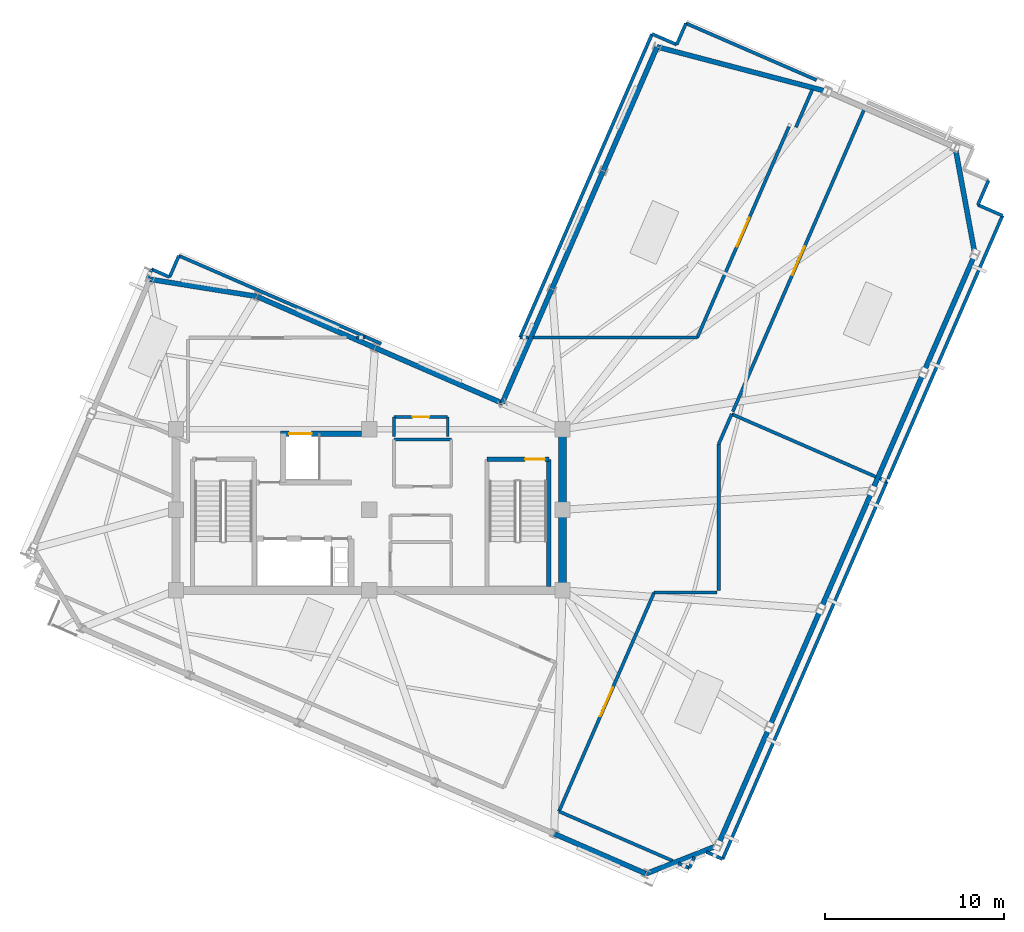
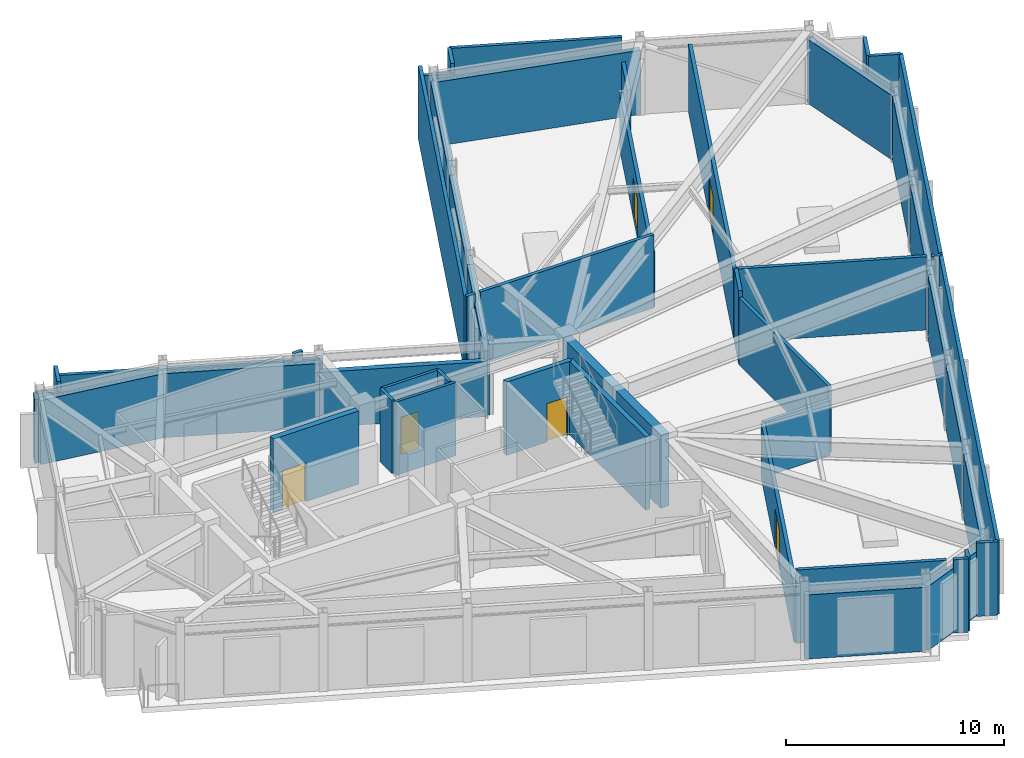
# One storey, part 7 of 11: 51 walls, 6 doors, 6 openings.
"""IFC4 building model written with IfcOpenShell, lengths in metres."""

from ifc_helpers import new_model, si_unit, direction, frame, frame_2d, origin, place, context, subcontext, project, spatial, rectangle, extrude, material, layer, layer_set, type_object, element, fill, save


model = new_model("IFC4")

# Units and contexts
model_context = context("Model", 3, precision=1e-05, world=origin(), true_north=direction((0.0, 1.0)))
body_context = subcontext(model_context, "Body", "Model", "MODEL_VIEW")
ifc_project = project(units=[si_unit("LENGTHUNIT", "METRE"), si_unit("AREAUNIT", "SQUARE_METRE"), si_unit("VOLUMEUNIT", "CUBIC_METRE"), si_unit("PLANEANGLEUNIT", "RADIAN"), si_unit("MASSUNIT", "GRAM", prefix="KILO")], contexts=[model_context])

# Site, building, storey
site_placement = place(None, origin())
site = spatial("IfcSite", under=ifc_project, at=site_placement, CompositionType="ELEMENT")
building_placement = place(site_placement, origin())
building = spatial("IfcBuilding", under=site, at=building_placement, Name="Gaonmaruhae Medical Tower", CompositionType="ELEMENT")
storey_placement = place(building_placement, frame((0.0, 0.0, 338.199951171875)))
storey = spatial("IfcBuildingStorey", under=building, at=storey_placement, Name="L81", CompositionType="ELEMENT", Elevation=338.199951171875)

# Walls
ifc_material_1 = material(Name="Concrete C50/60", Category="concrete")
ifc_layer_1 = layer(ifc_material_1, 0.449951171875)
ifc_layer_set_1 = layer_set([ifc_layer_1], Name="Concrete C50/60")
wall_type_1 = type_object("IfcWallType", Name="CW-450 Upper Core Shear Wall", PredefinedType="SHEAR", material=ifc_layer_set_1)
wall_1_placement = place(storey_placement, frame((35.60009765625, 7.800048828125, 0.0), z_axis=(0.0, 0.0, 1.0), x_axis=(0.0, 1.0, 0.0)))
element("IfcWall", 1, at=wall_1_placement, inside=storey, type_object=wall_type_1, Name="L81 Core Shear Wall CSW-E1", PredefinedType="SHEAR", context=body_context, shape_type="SweptSolid", body=[
    extrude(rectangle(XDim=9.0, YDim=0.449951171875, at=frame_2d((4.5, 0.0))), origin(), (0.0, 0.0, 1.0), 4.10009765625),
])
ifc_material_2 = material(Name="Precast concrete C45/55", Category="concrete")
ifc_layer_2 = layer(ifc_material_2, 0.280029296875)
ifc_layer_set_2 = layer_set([ifc_layer_2], Name="Precast concrete C45/55")
wall_type_2 = type_object("IfcWallType", Name="EW-280 Upper Precast Masonry-Frame Facade Wall", PredefinedType="SOLIDWALL", material=ifc_layer_set_2)
for number, where, z_axis, x_axis, name in (
    (2, (47.14599609375, 0.154296875, 0.0), (0.0, 0.0, 1.0), (-0.398734790782, -0.917066282566, 0.0), "L81 Precast Masonry-Frame Wall S01-S02"),
    (3, (50.01708984375, 6.757080078125, 0.0), (0.0, 0.0, 1.0), (-0.398763307949, -0.91705388295, 0.0), "L81 Precast Masonry-Frame Wall S02-S03"),
):
    element("IfcWall", number, at=place(storey_placement, frame(where, z_axis=z_axis, x_axis=x_axis)), inside=storey, type_object=wall_type_2, Name=name, PredefinedType="SOLIDWALL", context=body_context, shape_type="SweptSolid", body=[
        extrude(rectangle(XDim=7.199951171875, YDim=0.280029296875, at=frame_2d((3.60009765625, 0.0))), origin(), (0.0, 0.0, 1.0), 3.5849609375),
    ])
wall_2_placement = place(storey_placement, frame((52.88818359375, 13.360107421875, 0.0), z_axis=(0.0, 0.0, 1.0), x_axis=(-0.398750908406, -0.917059274554, 0.0)))
element("IfcWall", 4, at=wall_2_placement, inside=storey, type_object=wall_type_2, Name="L81 Precast Masonry-Frame Wall S03-S04", PredefinedType="SOLIDWALL", context=body_context, shape_type="SweptSolid", body=[
    extrude(rectangle(XDim=7.2001953125, YDim=0.280029296875, at=frame_2d((3.60009765625, 0.0))), origin(), (0.0, 0.0, 1.0), 3.5849609375),
])
for number, where, z_axis, x_axis, name in (
    (5, (55.759033203125, 19.962890625, 0.0), (0.0, 0.0, 1.0), (-0.398734790782, -0.917066282566, 0.0), "L81 Precast Masonry-Frame Wall S04-S05"),
    (6, (58.630126953125, 26.565673828125, 0.0), (0.0, 0.0, 1.0), (-0.398763307949, -0.91705388295, 0.0), "L81 Precast Masonry-Frame Wall S05-S06"),
):
    element("IfcWall", number, at=place(storey_placement, frame(where, z_axis=z_axis, x_axis=x_axis)), inside=storey, type_object=wall_type_2, Name=name, PredefinedType="SOLIDWALL", context=body_context, shape_type="SweptSolid", body=[
        extrude(rectangle(XDim=7.199951171875, YDim=0.280029296875, at=frame_2d((3.60009765625, 0.0))), origin(), (0.0, 0.0, 1.0), 3.5849609375),
    ])
wall_3_placement = place(storey_placement, frame((57.52587890625, 32.552490234375, 0.0), z_axis=(0.0, 0.0, 1.0), x_axis=(0.181386981443, -0.983411797246, 0.0)))
element("IfcWall", 7, at=wall_3_placement, inside=storey, type_object=wall_type_2, Name="L81 Precast Masonry-Frame Wall S06-E01", PredefinedType="SOLIDWALL", context=body_context, shape_type="SweptSolid", body=[
    extrude(rectangle(XDim=6.087890625, YDim=0.280029296875, at=frame_2d((3.0439453125, 0.0))), origin(), (0.0, 0.0, 1.0), 3.5849609375),
])
wall_4_placement = place(storey_placement, frame((40.879150390625, 38.155029296875, 0.0), z_axis=(0.0, 0.0, 1.0), x_axis=(0.967228369271, -0.253908018143, 0.0)))
element("IfcWall", 8, at=wall_4_placement, inside=storey, type_object=wall_type_2, Name="L81 Precast Masonry-Frame Wall E02-E03", PredefinedType="SOLIDWALL", context=body_context, shape_type="SweptSolid", body=[
    extrude(rectangle(XDim=9.8154296875, YDim=0.280029296875, at=frame_2d((4.90771484375, 0.0))), origin(), (0.0, 0.0, 1.0), 3.5849609375),
])
wall_5_placement = place(storey_placement, frame((37.868408203125, 31.231201171875, 0.0), z_axis=(0.0, 0.0, 1.0), x_axis=(0.398768677413, 0.917051548123, 0.0)))
element("IfcWall", 9, at=wall_5_placement, inside=storey, type_object=wall_type_2, Name="L81 Precast Masonry-Frame Wall E03-EN01", PredefinedType="SOLIDWALL", context=body_context, shape_type="SweptSolid", body=[
    extrude(rectangle(XDim=7.550048828125, YDim=0.280029296875, at=frame_2d((3.77490234375, 0.0))), origin(), (0.0, 0.0, 1.0), 3.5849609375),
])
wall_6_placement = place(storey_placement, frame((34.99755859375, 24.62841796875, 0.0), z_axis=(0.0, 0.0, 1.0), x_axis=(0.398734790782, 0.917066282566, 0.0)))
element("IfcWall", 10, at=wall_6_placement, inside=storey, type_object=wall_type_2, Name="L81 Precast Masonry-Frame Wall EN01-EN02", PredefinedType="SOLIDWALL", context=body_context, shape_type="SweptSolid", body=[
    extrude(rectangle(XDim=7.199951171875, YDim=0.280029296875, at=frame_2d((3.60009765625, 0.0))), origin(), (0.0, 0.0, 1.0), 3.5849609375),
])
wall_7_placement = place(storey_placement, frame((32.226318359375, 18.2548828125, 0.0), z_axis=(0.0, 0.0, 1.0), x_axis=(0.398742809918, 0.917062795853, 0.0)))
element("IfcWall", 11, at=wall_7_placement, inside=storey, type_object=wall_type_2, Name="L81 Precast Masonry-Frame Wall EN02-KN01", PredefinedType="SOLIDWALL", context=body_context, shape_type="SweptSolid", body=[
    extrude(rectangle(XDim=6.949951171875, YDim=0.280029296875, at=frame_2d((3.47509765625, 0.0))), origin(), (0.0, 0.0, 1.0), 3.5849609375),
])
wall_8_placement = place(storey_placement, frame((25.118896484375, 21.34521484375, 0.0), z_axis=(0.0, 0.0, 1.0), x_axis=(0.917063044715, -0.398742237565, 0.0)))
element("IfcWall", 12, at=wall_8_placement, inside=storey, type_object=wall_type_2, Name="L81 Precast Masonry-Frame Wall KN01-NE01", PredefinedType="SOLIDWALL", context=body_context, shape_type="SweptSolid", body=[
    extrude(rectangle(XDim=7.750244140625, YDim=0.280029296875, at=frame_2d((3.875, 0.0))), origin(), (0.0, 0.0, 1.0), 3.0849609375),
])
wall_9_placement = place(storey_placement, frame((18.51611328125, 24.21630859375, 0.0), z_axis=(0.0, 0.0, 1.0), x_axis=(0.91705388295, -0.398763307949, 0.0)))
element("IfcWall", 13, at=wall_9_placement, inside=storey, type_object=wall_type_2, Name="L81 Precast Masonry-Frame Wall NE01-NE02", PredefinedType="SOLIDWALL", context=body_context, shape_type="SweptSolid", body=[
    extrude(rectangle(XDim=7.199951171875, YDim=0.280029296875, at=frame_2d((3.60009765625, 0.0))), origin(), (0.0, 0.0, 1.0), 3.5849609375),
])
wall_10_placement = place(storey_placement, frame((12.55322265625, 25.17333984375, 0.0), z_axis=(0.0, 0.0, 1.0), x_axis=(0.987363826076, -0.158469791935, 0.0)))
element("IfcWall", 14, at=wall_10_placement, inside=storey, type_object=wall_type_2, Name="L81 Precast Masonry-Frame Wall NE02-N01", PredefinedType="SOLIDWALL", context=body_context, shape_type="SweptSolid", body=[
    extrude(rectangle(XDim=6.039306640625, YDim=0.280029296875, at=frame_2d((3.01953125, 0.0))), origin(), (0.0, 0.0, 1.0), 3.5849609375),
])
wall_11_placement = place(storey_placement, frame((40.261962890625, -8.029296875, 0.0), z_axis=(0.0, 0.0, 1.0), x_axis=(-0.917064511226, 0.398738864734, 0.0)))
element("IfcWall", 15, at=wall_11_placement, inside=storey, type_object=wall_type_2, Name="L81 Precast Masonry-Frame Wall W05-W06", PredefinedType="SOLIDWALL", context=body_context, shape_type="SweptSolid", body=[
    extrude(rectangle(XDim=5.599853515625, YDim=0.280029296875, at=frame_2d((2.7998046875, 0.0))), origin(), (0.0, 0.0, 1.0), 3.5849609375),
])
wall_12_placement = place(storey_placement, frame((44.275146484375, -6.448486328125, 0.0), z_axis=(0.0, 0.0, 1.0), x_axis=(-0.930419505769, -0.366496307328, 0.0)))
element("IfcWall", 16, at=wall_12_placement, inside=storey, type_object=wall_type_2, Name="L81 Precast Masonry-Frame Wall W06-S01", PredefinedType="SOLIDWALL", context=body_context, shape_type="SweptSolid", body=[
    extrude(rectangle(XDim=4.313232421875, YDim=0.280029296875, at=frame_2d((2.15673828125, 0.0))), origin(), (0.0, 0.0, 1.0), 3.5849609375),
])
ifc_material_3 = material(Name="Gypsum board partition", Category="gypsum")
ifc_layer_3 = layer(ifc_material_3, 0.14990234375)
ifc_layer_set_3 = layer_set([ifc_layer_3], Name="Gypsum board partition")
wall_type_3 = type_object("IfcWallType", Name="PW-150 Rated Clinical Corridor Partition", PredefinedType="PARTITIONING", material=ifc_layer_set_3)
wall_13_placement = place(storey_placement, frame((26.179931640625, 16.219970703125, 0.0), z_axis=(0.0, 0.0, 1.0), x_axis=(1.0, 0.0, 0.0)))
element("IfcWall", 17, at=wall_13_placement, inside=storey, type_object=wall_type_3, Name="L81 Interior Partition L81-RCL2-8", PredefinedType="PARTITIONING", context=body_context, shape_type="SweptSolid", body=[
    extrude(rectangle(XDim=3.199951171875, YDim=0.14990234375, at=frame_2d((1.60009765625, 0.0))), origin(), (0.0, 0.0, 1.0), 4.10009765625),
])
wall_14_placement = place(storey_placement, frame((26.179931640625, 16.3798828125, 0.0), z_axis=(0.0, 0.0, 1.0), x_axis=(0.0, 1.0, 0.0)))
element("IfcWall", 18, at=wall_14_placement, inside=storey, type_object=wall_type_3, Name="L81 Interior Partition L81-CS2-11", PredefinedType="PARTITIONING", context=body_context, shape_type="SweptSolid", body=[
    extrude(rectangle(XDim=1.10009765625, YDim=0.14990234375, at=frame_2d((0.550048828125, 0.0))), origin(), (0.0, 0.0, 1.0), 4.10009765625),
])

# Wall, opening, door
wall_15_placement = place(storey_placement, frame((26.179931640625, 17.47998046875, 0.0), z_axis=(0.0, 0.0, 1.0), x_axis=(1.0, 0.0, 0.0)))
wall_15 = element("IfcWall", 19, at=wall_15_placement, inside=storey, type_object=wall_type_3, Name="L81 Interior Partition L81-CS2-12", PredefinedType="PARTITIONING", context=body_context, shape_type="SweptSolid", body=[
    extrude(rectangle(XDim=3.0, YDim=0.14990234375, at=frame_2d((1.5, 0.0))), origin(), (0.0, 0.0, 1.0), 4.10009765625),
])
opening_1_placement = place(wall_15_placement, frame((1.0400390625, 0.0, 0.0)))
opening_1 = element("IfcOpeningElement", 20, at=opening_1_placement, cuts=wall_15, Name="Opening UD-01", PredefinedType="OPENING", context=body_context, shape_type="SweptSolid", body=[
    extrude(rectangle(XDim=0.919921875, YDim=2.10009765625, at=frame_2d((0.4599609375, 1.050048828125))), frame((0.0, 0.0849609375, 0.0), z_axis=(0.0, -1.0, 0.0), x_axis=(1.0, 0.0, 0.0)), (0.0, 0.0, 1.0), 0.169921875),
])
ifc_material_4 = material(Name="Powder-coated steel utility door", Category="steel")
door_type_1 = type_object("IfcDoorType", Name="UD-01 Toilet, Utility & Housekeeping Door 920x2100", OperationType="NOTDEFINED", PredefinedType="DOOR", material=ifc_material_4)
door_1_placement = place(opening_1_placement, origin())
door_1 = element("IfcDoor", 21, at=door_1_placement, inside=storey, type_object=door_type_1, Name="L81 Biomedical Telemetry Closet Door", OperationType="SINGLE_SWING_RIGHT", OverallHeight=2.10009765625, OverallWidth=0.919921875, PredefinedType="DOOR", context=body_context, shape_type="SweptSolid", body=[
    extrude(rectangle(XDim=0.919921875, YDim=2.10009765625, at=frame_2d((0.4599609375, 1.050048828125))), frame((0.0, 0.02490234375, 0.0), z_axis=(0.0, -1.0, 0.0), x_axis=(1.0, 0.0, 0.0)), (0.0, 0.0, 1.0), 0.050048828125),
])
fill(opening_1, door_1)

# Walls
wall_16_placement = place(storey_placement, frame((29.179931640625, 17.47998046875, 0.0), z_axis=(0.0, 0.0, 1.0), x_axis=(0.0, -1.0, 0.0)))
element("IfcWall", 22, at=wall_16_placement, inside=storey, type_object=wall_type_3, Name="L81 Interior Partition L81-CS2-13", PredefinedType="PARTITIONING", context=body_context, shape_type="SweptSolid", body=[
    extrude(rectangle(XDim=1.10009765625, YDim=0.14990234375, at=frame_2d((0.550048828125, 0.0))), origin(), (0.0, 0.0, 1.0), 4.10009765625),
])
ifc_layer_4 = layer(ifc_material_3, 0.179931640625)
ifc_layer_set_4 = layer_set([ifc_layer_4], Name="Gypsum board partition")
wall_type_4 = type_object("IfcWallType", Name="PW-180 Refuge & Plant Acoustic Fire Partition", PredefinedType="PARTITIONING", material=ifc_layer_set_4)
wall_17_placement = place(storey_placement, frame((44.320068359375, 7.800048828125, 0.0), z_axis=(0.0, 0.0, 1.0), x_axis=(0.0, 1.0, 0.0)))
element("IfcWall", 23, at=wall_17_placement, inside=storey, type_object=wall_type_4, Name="L81 Interior Partition L81-CTWR-14", PredefinedType="PARTITIONING", context=body_context, shape_type="SweptSolid", body=[
    extrude(rectangle(XDim=8.175048828125, YDim=0.179931640625, at=frame_2d((4.08740234375, 0.0))), origin(), (0.0, 0.0, 1.0), 3.735107421875),
])
wall_18_placement = place(storey_placement, frame((44.320068359375, 15.97509765625, 0.0), z_axis=(0.0, 0.0, 1.0), x_axis=(0.398564118579, 0.91714047091, 0.0)))
element("IfcWall", 24, at=wall_18_placement, inside=storey, type_object=wall_type_4, Name="L81 Interior Partition L81-CTWR-15", PredefinedType="PARTITIONING", context=body_context, shape_type="SweptSolid", body=[
    extrude(rectangle(XDim=1.818603515625, YDim=0.179931640625, at=frame_2d((0.9091796875, 0.0))), origin(), (0.0, 0.0, 1.0), 4.10009765625),
])
wall_19_placement = place(storey_placement, frame((45.044921875, 17.64306640625, 0.0), z_axis=(0.0, 0.0, 1.0), x_axis=(0.91700863384, -0.398867353218, 0.0)))
element("IfcWall", 25, at=wall_19_placement, inside=storey, type_object=wall_type_4, Name="L81 Interior Partition L81-CTWR-16", PredefinedType="PARTITIONING", context=body_context, shape_type="SweptSolid", body=[
    extrude(rectangle(XDim=8.78515625, YDim=0.179931640625, at=frame_2d((4.392578125, 0.0))), origin(), (0.0, 0.0, 1.0), 4.10009765625),
])
wall_20_placement = place(storey_placement, frame((53.31201171875, 14.047119140625, 0.0), z_axis=(0.0, 0.0, 1.0), x_axis=(0.91736435201, -0.398048546864, 0.0)))
element("IfcWall", 26, at=wall_20_placement, inside=storey, type_object=wall_type_4, Name="L81 Interior Partition L81-CTWR-17", PredefinedType="PARTITIONING", context=body_context, shape_type="SweptSolid", body=[
    extrude(rectangle(XDim=0.434814453125, YDim=0.179931640625, at=frame_2d((0.21728515625, 0.0))), origin(), (0.0, 0.0, 1.0), 4.10009765625),
])
wall_21_placement = place(storey_placement, frame((53.7109375, 13.8740234375, 0.0), z_axis=(0.0, 0.0, 1.0), x_axis=(-0.398742413584, -0.917062968181, 0.0)))
element("IfcWall", 27, at=wall_21_placement, inside=storey, type_object=wall_type_4, Name="L81 Interior Partition L81-CTWR-18", PredefinedType="PARTITIONING", context=body_context, shape_type="SweptSolid", body=[
    extrude(rectangle(XDim=22.99951171875, YDim=0.179931640625, at=frame_2d((11.499755859375, 0.0))), origin(), (0.0, 0.0, 1.0), 4.10009765625),
])
wall_22_placement = place(storey_placement, frame((44.5400390625, -7.218017578125, 0.0), z_axis=(0.0, 0.0, 1.0), x_axis=(-0.916865462782, 0.399196346623, 0.0)))
element("IfcWall", 28, at=wall_22_placement, inside=storey, type_object=wall_type_4, Name="L81 Interior Partition L81-CTWR-19", PredefinedType="PARTITIONING", context=body_context, shape_type="SweptSolid", body=[
    extrude(rectangle(XDim=0.987060546875, YDim=0.179931640625, at=frame_2d((0.49365234375, 0.0))), origin(), (0.0, 0.0, 1.0), 4.10009765625),
])
wall_23_placement = place(storey_placement, frame((42.9599609375, -7.090087890625, 0.0), z_axis=(0.0, 0.0, 1.0), x_axis=(-0.39880409212, -0.917036147656, 0.0)))
element("IfcWall", 29, at=wall_23_placement, inside=storey, type_object=wall_type_4, Name="L81 Interior Partition L81-CTWR-20", PredefinedType="PARTITIONING", context=body_context, shape_type="SweptSolid", body=[
    extrude(rectangle(XDim=0.686767578125, YDim=0.179931640625, at=frame_2d((0.34326171875, 0.0))), origin(), (0.0, 0.0, 1.0), 4.10009765625),
])
wall_24_placement = place(storey_placement, frame((42.68603515625, -7.719970703125, 0.0), z_axis=(0.0, 0.0, 1.0), x_axis=(-0.917092650936, 0.398674139617, 0.0)))
element("IfcWall", 30, at=wall_24_placement, inside=storey, type_object=wall_type_4, Name="L81 Interior Partition L81-CTWR-21", PredefinedType="PARTITIONING", context=body_context, shape_type="SweptSolid", body=[
    extrude(rectangle(XDim=0.68701171875, YDim=0.179931640625, at=frame_2d((0.343505859375, 0.0))), origin(), (0.0, 0.0, 1.0), 4.10009765625),
])
wall_25_placement = place(storey_placement, frame((41.758056640625, -7.31591796875, 0.0), z_axis=(0.0, 0.0, 1.0), x_axis=(-0.917082924279, 0.398696513648, 0.0)))
element("IfcWall", 31, at=wall_25_placement, inside=storey, type_object=wall_type_4, Name="L81 Interior Partition L81-CTWR-22", PredefinedType="PARTITIONING", context=body_context, shape_type="SweptSolid", body=[
    extrude(rectangle(XDim=6.937255859375, YDim=0.179931640625, at=frame_2d((3.46875, 0.0))), origin(), (0.0, 0.0, 1.0), 4.10009765625),
])

# Wall, opening, door
wall_26_placement = place(storey_placement, frame((35.39599609375, -4.550048828125, 0.0), z_axis=(0.0, 0.0, 1.0), x_axis=(0.398695317753, 0.917083444187, 0.0)))
wall_26 = element("IfcWall", 32, at=wall_26_placement, inside=storey, type_object=wall_type_4, Name="L81 Interior Partition L81-CTWR-23", PredefinedType="PARTITIONING", context=body_context, shape_type="SweptSolid", body=[
    extrude(rectangle(XDim=13.335693359375, YDim=0.179931640625, at=frame_2d((6.66796875, 0.0))), origin(), (0.0, 0.0, 1.0), 3.0849609375),
])
opening_2_placement = place(wall_26_placement, frame((5.79296875, 0.0, 0.0)))
opening_2 = element("IfcOpeningElement", 33, at=opening_2_placement, cuts=wall_26, Name="Opening PD-01", PredefinedType="OPENING", context=body_context, shape_type="SweptSolid", body=[
    extrude(rectangle(XDim=1.75, YDim=2.199951171875, at=frame_2d((0.875, 1.10009765625))), frame((0.0, 0.10009765625, 0.0), z_axis=(0.0, -1.0, 0.0), x_axis=(1.0, 0.0, 0.0)), (0.0, 0.0, 1.0), 0.199951171875),
])
ifc_material_5 = material(Name="Acoustic galvanised steel plant door", Category="steel")
door_type_2 = type_object("IfcDoorType", Name="PD-01 Mechanical Plant Double Equipment Door 1750x2200", OperationType="NOTDEFINED", PredefinedType="DOOR", material=ifc_material_5)
door_2_placement = place(opening_2_placement, origin())
door_2 = element("IfcDoor", 34, at=door_2_placement, inside=storey, type_object=door_type_2, Name="L81 Heat Rejection Cooling Tower Plant Room Door", OperationType="DOUBLE_DOOR_SINGLE_SWING", OverallHeight=2.199951171875, OverallWidth=1.75, PredefinedType="DOOR", context=body_context, shape_type="SweptSolid", body=[
    extrude(rectangle(XDim=1.75, YDim=2.199951171875, at=frame_2d((0.875, 1.10009765625))), frame((0.0, 0.02490234375, 0.0), z_axis=(0.0, -1.0, 0.0), x_axis=(1.0, 0.0, 0.0)), (0.0, 0.0, 1.0), 0.050048828125),
])
fill(opening_2, door_2)

# Walls
wall_27_placement = place(storey_placement, frame((40.712890625, 7.679931640625, 0.0), z_axis=(0.0, 0.0, 1.0), x_axis=(0.999999961053, 0.000279095719, 0.0)))
element("IfcWall", 35, at=wall_27_placement, inside=storey, type_object=wall_type_4, Name="L81 Interior Partition L81-CTWR-24", PredefinedType="PARTITIONING", context=body_context, shape_type="SweptSolid", body=[
    extrude(rectangle(XDim=3.4990234375, YDim=0.179931640625, at=frame_2d((1.74951171875, 0.0))), origin(), (0.0, 0.0, 1.0), 3.0849609375),
])
for number, where, z_axis, x_axis, name in (
    (36, (59.39404296875, 30.7041015625, 0.0), (0.0, 0.0, 1.0), (-0.398904712107, -0.916992383097, 0.0), "L81 Interior Partition L81-CAHU-25"),
    (37, (58.7958984375, 29.3291015625, 0.0), (0.0, 0.0, 1.0), (0.916992383097, -0.398904712107, 0.0), "L81 Interior Partition L81-CAHU-26"),
):
    element("IfcWall", number, at=place(storey_placement, frame(where, z_axis=z_axis, x_axis=x_axis)), inside=storey, type_object=wall_type_4, Name=name, PredefinedType="PARTITIONING", context=body_context, shape_type="SweptSolid", body=[
        extrude(rectangle(XDim=1.49951171875, YDim=0.179931640625, at=frame_2d((0.749755859375, 0.0))), origin(), (0.0, 0.0, 1.0), 4.10009765625),
    ])
wall_28_placement = place(storey_placement, frame((60.1708984375, 28.73095703125, 0.0), z_axis=(0.0, 0.0, 1.0), x_axis=(-0.398743910025, -0.917062317521, 0.0)))
element("IfcWall", 38, at=wall_28_placement, inside=storey, type_object=wall_type_4, Name="L81 Interior Partition L81-CAHU-27", PredefinedType="PARTITIONING", context=body_context, shape_type="SweptSolid", body=[
    extrude(rectangle(XDim=16.050048828125, YDim=0.179931640625, at=frame_2d((8.02490234375, 0.0))), origin(), (0.0, 0.0, 1.0), 4.10009765625),
])

# Wall, opening, door
wall_29_placement = place(storey_placement, frame((45.10498046875, 17.780029296875, 0.0), z_axis=(0.0, 0.0, 1.0), x_axis=(0.398732909086, 0.917067100714, 0.0)))
wall_29 = element("IfcWall", 39, at=wall_29_placement, inside=storey, type_object=wall_type_4, Name="L81 Interior Partition L81-CAHU-28", PredefinedType="PARTITIONING", context=body_context, shape_type="SweptSolid", body=[
    extrude(rectangle(XDim=18.385986328125, YDim=0.179931640625, at=frame_2d((9.19287109375, 0.0))), origin(), (0.0, 0.0, 1.0), 3.735107421875),
])
opening_3_placement = place(wall_29_placement, frame((8.31787109375, 0.0, 0.0)))
opening_3 = element("IfcOpeningElement", 40, at=opening_3_placement, cuts=wall_29, Name="Opening PD-01", PredefinedType="OPENING", context=body_context, shape_type="SweptSolid", body=[
    extrude(rectangle(XDim=1.75, YDim=2.199951171875, at=frame_2d((0.875, 1.10009765625))), frame((0.0, 0.10009765625, 0.0), z_axis=(0.0, -1.0, 0.0), x_axis=(1.0, 0.0, 0.0)), (0.0, 0.0, 1.0), 0.199951171875),
])
door_3_placement = place(opening_3_placement, origin())
door_3 = element("IfcDoor", 41, at=door_3_placement, inside=storey, type_object=door_type_2, Name="L81 High-Zone Exhaust and Make-Up Air Plant Room Door", OperationType="DOUBLE_DOOR_SINGLE_SWING", OverallHeight=2.199951171875, OverallWidth=1.75, PredefinedType="DOOR", context=body_context, shape_type="SweptSolid", body=[
    extrude(rectangle(XDim=1.75, YDim=2.199951171875, at=frame_2d((0.875, 1.10009765625))), frame((0.0, 0.02490234375, 0.0), z_axis=(0.0, -1.0, 0.0), x_axis=(1.0, 0.0, 0.0)), (0.0, 0.0, 1.0), 0.050048828125),
])
fill(opening_3, door_3)

wall_30_placement = place(storey_placement, frame((48.242919921875, 33.698974609375, 0.0), z_axis=(0.0, 0.0, 1.0), x_axis=(-0.398758777505, -0.917055852913, 0.0)))
wall_30 = element("IfcWall", 42, at=wall_30_placement, inside=storey, type_object=wall_type_4, Name="L81 Interior Partition L81-TANK-32", PredefinedType="PARTITIONING", context=body_context, shape_type="SweptSolid", body=[
    extrude(rectangle(XDim=12.844482421875, YDim=0.179931640625, at=frame_2d((6.42236328125, 0.0))), origin(), (0.0, 0.0, 1.0), 3.0849609375),
])
opening_4_placement = place(wall_30_placement, frame((5.547119140625, 0.0, 0.0)))
opening_4 = element("IfcOpeningElement", 43, at=opening_4_placement, cuts=wall_30, Name="Opening PD-01", PredefinedType="OPENING", context=body_context, shape_type="SweptSolid", body=[
    extrude(rectangle(XDim=1.75, YDim=2.199951171875, at=frame_2d((0.875, 1.10009765625))), frame((0.0, 0.10009765625, 0.0), z_axis=(0.0, -1.0, 0.0), x_axis=(1.0, 0.0, 0.0)), (0.0, 0.0, 1.0), 0.199951171875),
])
door_4_placement = place(opening_4_placement, origin())
door_4 = element("IfcDoor", 44, at=door_4_placement, inside=storey, type_object=door_type_2, Name="L81 High-Level Fire Fighting Gravity Water Tank Room Door", OperationType="DOUBLE_DOOR_SINGLE_SWING", OverallHeight=2.199951171875, OverallWidth=1.75, PredefinedType="DOOR", context=body_context, shape_type="SweptSolid", body=[
    extrude(rectangle(XDim=1.75, YDim=2.199951171875, at=frame_2d((0.875, 1.10009765625))), frame((0.0, 0.02490234375, 0.0), z_axis=(0.0, -1.0, 0.0), x_axis=(1.0, 0.0, 0.0)), (0.0, 0.0, 1.0), 0.050048828125),
])
fill(opening_4, door_4)

# Walls
wall_31_placement = place(storey_placement, frame((43.12109375, 21.919921875, 0.0), z_axis=(0.0, 0.0, 1.0), x_axis=(-1.0, 0.0, 0.0)))
element("IfcWall", 45, at=wall_31_placement, inside=storey, type_object=wall_type_4, Name="L81 Interior Partition L81-TANK-33", PredefinedType="PARTITIONING", context=body_context, shape_type="SweptSolid", body=[
    extrude(rectangle(XDim=9.176025390625, YDim=0.179931640625, at=frame_2d((4.587890625, 0.0))), origin(), (0.0, 0.0, 1.0), 4.10009765625),
])
wall_32_placement = place(storey_placement, frame((33.694091796875, 21.919921875, 0.0), z_axis=(0.0, 0.0, 1.0), x_axis=(-1.0, 0.0, 0.0)))
element("IfcWall", 46, at=wall_32_placement, inside=storey, type_object=wall_type_4, Name="L81 Interior Partition L81-TANK-34", PredefinedType="PARTITIONING", context=body_context, shape_type="SweptSolid", body=[
    extrude(rectangle(XDim=0.47412109375, YDim=0.179931640625, at=frame_2d((0.237060546875, 0.0))), origin(), (0.0, 0.0, 1.0), 4.10009765625),
])
wall_33_placement = place(storey_placement, frame((33.219970703125, 21.919921875, 0.0), z_axis=(0.0, 0.0, 1.0), x_axis=(0.39875121383, 0.917059141751, 0.0)))
element("IfcWall", 47, at=wall_33_placement, inside=storey, type_object=wall_type_4, Name="L81 Interior Partition L81-TANK-35", PredefinedType="PARTITIONING", context=body_context, shape_type="SweptSolid", body=[
    extrude(rectangle(XDim=18.49267578125, YDim=0.179931640625, at=frame_2d((9.246337890625, 0.0))), origin(), (0.0, 0.0, 1.0), 4.10009765625),
])
wall_34_placement = place(storey_placement, frame((40.593994140625, 38.87890625, 0.0), z_axis=(0.0, 0.0, 1.0), x_axis=(0.91715541112, -0.398529737728, 0.0)))
element("IfcWall", 48, at=wall_34_placement, inside=storey, type_object=wall_type_4, Name="L81 Interior Partition L81-TANK-36", PredefinedType="PARTITIONING", context=body_context, shape_type="SweptSolid", body=[
    extrude(rectangle(XDim=1.500244140625, YDim=0.179931640625, at=frame_2d((0.75, 0.0))), origin(), (0.0, 0.0, 1.0), 3.5849609375),
])
wall_35_placement = place(storey_placement, frame((41.969970703125, 38.281005859375, 0.0), z_axis=(0.0, 0.0, 1.0), x_axis=(0.398629941404, 0.917111863306, 0.0)))
element("IfcWall", 49, at=wall_35_placement, inside=storey, type_object=wall_type_4, Name="L81 Interior Partition L81-TANK-37", PredefinedType="PARTITIONING", context=body_context, shape_type="SweptSolid", body=[
    extrude(rectangle(XDim=1.299560546875, YDim=0.179931640625, at=frame_2d((0.64990234375, 0.0))), origin(), (0.0, 0.0, 1.0), 4.10009765625),
])
wall_36_placement = place(storey_placement, frame((42.488037109375, 39.472900390625, 0.0), z_axis=(0.0, 0.0, 1.0), x_axis=(0.917073961881, -0.398717128351, 0.0)))
element("IfcWall", 50, at=wall_36_placement, inside=storey, type_object=wall_type_4, Name="L81 Interior Partition L81-TANK-38", PredefinedType="PARTITIONING", context=body_context, shape_type="SweptSolid", body=[
    extrude(rectangle(XDim=7.9501953125, YDim=0.179931640625, at=frame_2d((3.97509765625, 0.0))), origin(), (0.0, 0.0, 1.0), 4.10009765625),
])
wall_37_placement = place(storey_placement, frame((49.54296875, 35.761962890625, 0.0), z_axis=(0.0, 0.0, 1.0), x_axis=(-0.398765098315, -0.917053104441, 0.0)))
element("IfcWall", 51, at=wall_37_placement, inside=storey, type_object=wall_type_4, Name="L81 Interior Partition L81-TANK-39", PredefinedType="PARTITIONING", context=body_context, shape_type="SweptSolid", body=[
    extrude(rectangle(XDim=2.289794921875, YDim=0.179931640625, at=frame_2d((1.14501953125, 0.0))), origin(), (0.0, 0.0, 1.0), 3.0849609375),
])
wall_38_placement = place(storey_placement, frame((14.162109375, 26.490966796875, 0.0), z_axis=(0.0, 0.0, 1.0), x_axis=(0.917053673963, -0.398763788566, 0.0)))
element("IfcWall", 52, at=wall_38_placement, inside=storey, type_object=wall_type_4, Name="L81 Interior Partition L81-BMS-49", PredefinedType="PARTITIONING", context=body_context, shape_type="SweptSolid", body=[
    extrude(rectangle(XDim=12.32080078125, YDim=0.179931640625, at=frame_2d((6.160400390625, 0.0))), origin(), (0.0, 0.0, 1.0), 3.5849609375),
])
wall_39_placement = place(storey_placement, frame((24.56689453125, 21.9189453125, 0.0), z_axis=(0.0, 0.0, 1.0), x_axis=(-0.999997911151, -0.002043940544, 0.0)))
element("IfcWall", 53, at=wall_39_placement, inside=storey, type_object=wall_type_4, Name="L81 Interior Partition L81-BMS-50", PredefinedType="PARTITIONING", context=body_context, shape_type="SweptSolid", body=[
    extrude(rectangle(XDim=0.477783203125, YDim=0.179931640625, at=frame_2d((0.23876953125, 0.0))), origin(), (0.0, 0.0, 1.0), 4.10009765625),
])
wall_40_placement = place(storey_placement, frame((12.416015625, 25.23291015625, 0.0), z_axis=(0.0, 0.0, 1.0), x_axis=(0.397769211749, 0.917485506253, 0.0)))
element("IfcWall", 54, at=wall_40_placement, inside=storey, type_object=wall_type_4, Name="L81 Interior Partition L81-BMS-54", PredefinedType="PARTITIONING", context=body_context, shape_type="SweptSolid", body=[
    extrude(rectangle(XDim=0.550537109375, YDim=0.179931640625, at=frame_2d((0.275390625, 0.0))), origin(), (0.0, 0.0, 1.0), 3.5849609375),
])
wall_41_placement = place(storey_placement, frame((12.635009765625, 25.738037109375, 0.0), z_axis=(0.0, 0.0, 1.0), x_axis=(0.916985379611, -0.398920811164, 0.0)))
element("IfcWall", 55, at=wall_41_placement, inside=storey, type_object=wall_type_4, Name="L81 Interior Partition L81-BMS-55", PredefinedType="PARTITIONING", context=body_context, shape_type="SweptSolid", body=[
    extrude(rectangle(XDim=1.100341796875, YDim=0.179931640625, at=frame_2d((0.55029296875, 0.0))), origin(), (0.0, 0.0, 1.0), 3.5849609375),
])
wall_42_placement = place(storey_placement, frame((13.64404296875, 25.299072265625, 0.0), z_axis=(0.0, 0.0, 1.0), x_axis=(0.398629941404, 0.917111863306, 0.0)))
element("IfcWall", 56, at=wall_42_placement, inside=storey, type_object=wall_type_4, Name="L81 Interior Partition L81-BMS-56", PredefinedType="PARTITIONING", context=body_context, shape_type="SweptSolid", body=[
    extrude(rectangle(XDim=1.299560546875, YDim=0.179931640625, at=frame_2d((0.64990234375, 0.0))), origin(), (0.0, 0.0, 1.0), 4.10009765625),
])

# Wall, opening, door
ifc_layer_5 = layer(ifc_material_1, 0.239990234375)
ifc_layer_set_5 = layer_set([ifc_layer_5], Name="Concrete C50/60")
wall_type_5 = type_object("IfcWallType", Name="SW-240 Dogleg Stair Tight Shaft Wall", PredefinedType="SOLIDWALL", material=ifc_layer_set_5)
wall_43_placement = place(storey_placement, frame((31.3701171875, 15.1201171875, 0.0), z_axis=(0.0, 0.0, 1.0), x_axis=(1.0, 0.0, 0.0)))
wall_43 = element("IfcWall", 57, at=wall_43_placement, inside=storey, type_object=wall_type_5, Name="L81 ST-02 Stair Shaft Wall SHW-ST-02-N", PredefinedType="SOLIDWALL", context=body_context, shape_type="SweptSolid", body=[
    extrude(rectangle(XDim=3.4599609375, YDim=0.239990234375, at=frame_2d((1.72998046875, 0.0))), origin(), (0.0, 0.0, 1.0), 4.10009765625),
])
opening_5_placement = place(wall_43_placement, frame((2.139892578125, 0.0, 0.0)))
opening_5 = element("IfcOpeningElement", 58, at=opening_5_placement, cuts=wall_43, Name="Opening FD-01", PredefinedType="OPENING", context=body_context, shape_type="SweptSolid", body=[
    extrude(rectangle(XDim=1.10009765625, YDim=2.14990234375, at=frame_2d((0.550048828125, 1.074951171875))), frame((0.0, 0.1298828125, 0.0), z_axis=(0.0, -1.0, 0.0), x_axis=(1.0, 0.0, 0.0)), (0.0, 0.0, 1.0), 0.260009765625),
])
ifc_material_6 = material(Name="Powder-coated steel fire door", Category="steel")
door_type_3 = type_object("IfcDoorType", Name="FD-01 Escape Stair Protected Fire Door 1100x2150", OperationType="NOTDEFINED", PredefinedType="DOOR", material=ifc_material_6)
door_5_placement = place(opening_5_placement, origin())
door_5 = element("IfcDoor", 59, at=door_5_placement, inside=storey, type_object=door_type_3, Name="L81 ST-02 Protected Escape Stair Door", OperationType="SINGLE_SWING_RIGHT", OverallHeight=2.14990234375, OverallWidth=1.10009765625, PredefinedType="DOOR", context=body_context, shape_type="SweptSolid", body=[
    extrude(rectangle(XDim=1.10009765625, YDim=2.14990234375, at=frame_2d((0.550048828125, 1.074951171875))), frame((0.0, 0.02490234375, 0.0), z_axis=(0.0, -1.0, 0.0), x_axis=(1.0, 0.0, 0.0)), (0.0, 0.0, 1.0), 0.050048828125),
])
fill(opening_5, door_5)

# Wall
wall_44_placement = place(storey_placement, frame((34.830078125, 15.1201171875, 0.0), z_axis=(0.0, 0.0, 1.0), x_axis=(0.0, -1.0, 0.0)))
element("IfcWall", 60, at=wall_44_placement, inside=storey, type_object=wall_type_5, Name="L81 ST-02 Stair Shaft Wall SHW-ST-02-E", PredefinedType="SOLIDWALL", context=body_context, shape_type="SweptSolid", body=[
    extrude(rectangle(XDim=7.09521484375, YDim=0.239990234375, at=frame_2d((3.547607421875, 0.0))), origin(), (0.0, 0.0, 1.0), 4.10009765625),
])

# Wall, opening, door
ifc_layer_6 = layer(ifc_material_1, 0.300048828125)
ifc_layer_set_6 = layer_set([ifc_layer_6], Name="Concrete C50/60")
wall_type_6 = type_object("IfcWallType", Name="SW-300 Stair & Lift Hoistway Shaft Wall", PredefinedType="SOLIDWALL", material=ifc_layer_set_6)
wall_45_placement = place(storey_placement, frame((19.85009765625, 16.550048828125, 0.0), z_axis=(0.0, 0.0, 1.0), x_axis=(1.0, 0.0, 0.0)))
wall_45 = element("IfcWall", 61, at=wall_45_placement, inside=storey, type_object=wall_type_6, Name="L81 Core Shear Wall CSW-NB", PredefinedType="SOLIDWALL", context=body_context, shape_type="SweptSolid", body=[
    extrude(rectangle(XDim=4.52490234375, YDim=0.300048828125, at=frame_2d((2.262451171875, 0.0))), origin(), (0.0, 0.0, 1.0), 4.10009765625),
])
opening_6_placement = place(wall_45_placement, frame((0.47509765625, 0.0, 0.0)))
opening_6 = element("IfcOpeningElement", 62, at=opening_6_placement, cuts=wall_45, Name="Opening LD-F1", PredefinedType="OPENING", context=body_context, shape_type="SweptSolid", body=[
    extrude(rectangle(XDim=1.25, YDim=2.179931640625, at=frame_2d((0.625, 1.08984375))), frame((0.0, 0.16015625, 0.0), z_axis=(0.0, -1.0, 0.0), x_axis=(1.0, 0.0, 0.0)), (0.0, 0.0, 1.0), 0.320068359375),
])
ifc_material_7 = material(Name="Brushed stainless steel 316L landing door", Category="steel")
door_type_4 = type_object("IfcDoorType", Name="LD-F1 Firefighting & Bed Lift Sliding Landing Door 1250x2180", OperationType="NOTDEFINED", PredefinedType="DOOR", material=ifc_material_7)
door_6_placement = place(opening_6_placement, origin())
door_6 = element("IfcDoor", 63, at=door_6_placement, inside=storey, type_object=door_type_4, Name="L81 Service/Bed Lift Landing Door BDL-01", OperationType="DOUBLE_DOOR_SLIDING", OverallHeight=2.179931640625, OverallWidth=1.25, PredefinedType="DOOR", context=body_context, shape_type="SweptSolid", body=[
    extrude(rectangle(XDim=1.25, YDim=2.179931640625, at=frame_2d((0.625, 1.08984375))), frame((0.0, 0.02490234375, 0.0), z_axis=(0.0, -1.0, 0.0), x_axis=(1.0, 0.0, 0.0)), (0.0, 0.0, 1.0), 0.050048828125),
])
fill(opening_6, door_6)

save(model, "model.ifc")
